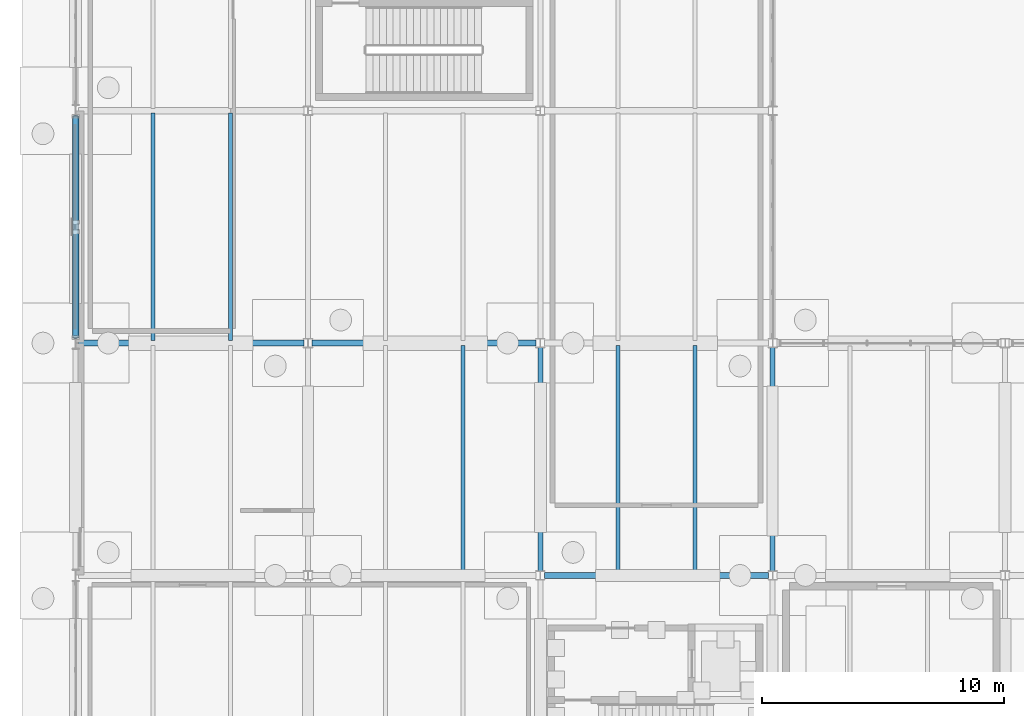
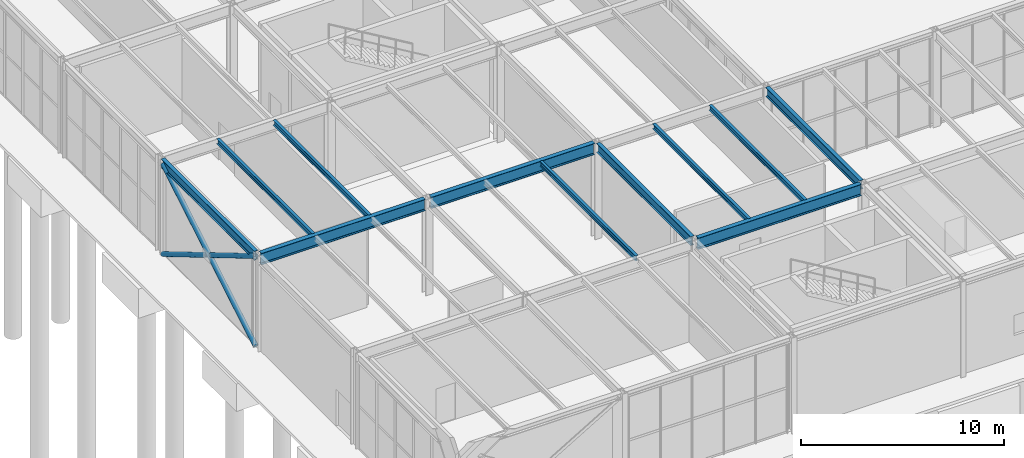
# One storey, part 36 of 142: 11 beams, 3 members.
"""IFC4 building model written with IfcOpenShell, lengths in metres."""

from ifc_helpers import new_model, si_unit, direction, frame, origin, origin_2d, place, context, subcontext, project, spatial, hollow_circle, i_section, extrude, material, material_profile, profile_set, type_object, element, save


model = new_model("IFC4")

# Units and contexts
model_context = context("Model", 3, precision=1e-05, world=origin(), true_north=direction((0.0, 1.0)))
body_context = subcontext(model_context, "Body", "Model", "MODEL_VIEW")
ifc_project = project(units=[si_unit("LENGTHUNIT", "METRE"), si_unit("AREAUNIT", "SQUARE_METRE"), si_unit("VOLUMEUNIT", "CUBIC_METRE"), si_unit("PLANEANGLEUNIT", "RADIAN"), si_unit("MASSUNIT", "GRAM", prefix="KILO")], contexts=[model_context])

# Site, building, storey
site_placement = place(None, origin())
site = spatial("IfcSite", under=ifc_project, at=site_placement, CompositionType="ELEMENT")
building_placement = place(site_placement, origin())
building = spatial("IfcBuilding", under=site, at=building_placement, Name="Coralgate Yard Interchange", CompositionType="ELEMENT")
storey_placement = place(building_placement, origin())
storey = spatial("IfcBuildingStorey", under=building, at=storey_placement, Name="L00", CompositionType="ELEMENT", Elevation=0.0)

# Beams
ifc_material = material(Name="Structural steel S355J2", Category="steel")
ifc_material_profile_1 = material_profile(ifc_material, i_section(OverallWidth=0.209228515625, OverallDepth=0.533203125, WebThickness=0.010009765625, FlangeThickness=0.015625, FilletRadius=0.0126953125, at=origin_2d()), Name="UB 533x210x92")
ifc_profile_set_1 = profile_set([ifc_material_profile_1], Name="Structural steel S355J2")
beam_type_1 = type_object("IfcBeamType", Name="BM-SB-1", PredefinedType="BEAM", material=ifc_profile_set_1)
beam_1_placement = place(storey_placement, frame((0.0, 19.419921875, 5.4833984375), z_axis=(0.0, 1.0, 0.0), x_axis=(-1.0, 0.0, 0.0)))
element("IfcBeam", 1, at=beam_1_placement, inside=storey, type_object=beam_type_1, Name="L00 primary grid girder X0 Y2-3", PredefinedType="BEAM", context=body_context, shape_type="SweptSolid", body=[
    extrude(i_section(OverallWidth=0.209228515625, OverallDepth=0.533203125, WebThickness=0.010009765625, FlangeThickness=0.015625, FilletRadius=0.0126953125, at=origin_2d()), origin(), (0.0, 0.0, 1.0), 9.16015625),
])
for number, where, z_axis, x_axis, name in (
    (2, (19.199951171875, 9.766845703125, 5.4833984375), (0.0, 1.0, 0.0), (-1.0, 0.0, 0.0), "L00 primary grid girder X2 Y1-2"),
    (3, (28.800048828125, 9.766845703125, 5.4833984375), (0.0, 1.0, 0.0), (-1.0, 0.0, 0.0), "L00 primary grid girder X3 Y1-2"),
):
    element("IfcBeam", number, at=place(storey_placement, frame(where, z_axis=z_axis, x_axis=x_axis)), inside=storey, type_object=beam_type_1, Name=name, PredefinedType="BEAM", context=body_context, shape_type="SweptSolid", body=[
        extrude(i_section(OverallWidth=0.209228515625, OverallDepth=0.533203125, WebThickness=0.010009765625, FlangeThickness=0.015625, FilletRadius=0.0126953125, at=origin_2d()), origin(), (0.0, 0.0, 1.0), 9.266357421875),
    ])
ifc_material_profile_2 = material_profile(ifc_material, i_section(OverallWidth=0.253662109375, OverallDepth=0.68359375, WebThickness=0.012451171875, FlangeThickness=0.01904296875, FilletRadius=0.01513671875, at=origin_2d()), Name="UB 686x254x140")
ifc_profile_set_2 = profile_set([ifc_material_profile_2], Name="Structural steel S355J2")
beam_type_2 = type_object("IfcBeamType", Name="BM-SG-4", PredefinedType="BEAM", material=ifc_profile_set_2)
beam_2_placement = place(storey_placement, frame((19.369384765625, 9.60009765625, 5.408203125), z_axis=(1.0, 0.0, 0.0), x_axis=(0.0, 1.0, 0.0)))
element("IfcBeam", 4, at=beam_2_placement, inside=storey, type_object=beam_type_2, Name="L00 primary grid beam Y1 X2-3", PredefinedType="BEAM", context=body_context, shape_type="SweptSolid", body=[
    extrude(i_section(OverallWidth=0.253662109375, OverallDepth=0.68359375, WebThickness=0.012451171875, FlangeThickness=0.01904296875, FilletRadius=0.01513671875, at=origin_2d()), origin(), (0.0, 0.0, 1.0), 9.26123046875),
])
beam_3_placement = place(storey_placement, frame((0.1201171875, 19.199951171875, 5.408203125), z_axis=(1.0, 0.0, 0.0), x_axis=(0.0, 1.0, 0.0)))
element("IfcBeam", 5, at=beam_3_placement, inside=storey, type_object=beam_type_2, Name="L00 primary grid beam Y2 X0-1", PredefinedType="BEAM", context=body_context, shape_type="SweptSolid", body=[
    extrude(i_section(OverallWidth=0.253662109375, OverallDepth=0.68359375, WebThickness=0.012451171875, FlangeThickness=0.01904296875, FilletRadius=0.01513671875, at=origin_2d()), origin(), (0.0, 0.0, 1.0), 9.310302734375),
])
beam_4_placement = place(storey_placement, frame((9.76953125, 19.199951171875, 5.408203125), z_axis=(1.0, 0.0, 0.0), x_axis=(0.0, 1.0, 0.0)))
element("IfcBeam", 6, at=beam_4_placement, inside=storey, type_object=beam_type_2, Name="L00 primary grid beam Y2 X1-2", PredefinedType="BEAM", context=body_context, shape_type="SweptSolid", body=[
    extrude(i_section(OverallWidth=0.253662109375, OverallDepth=0.68359375, WebThickness=0.012451171875, FlangeThickness=0.01904296875, FilletRadius=0.01513671875, at=origin_2d()), origin(), (0.0, 0.0, 1.0), 9.260986328125),
])
ifc_material_profile_3 = material_profile(ifc_material, i_section(OverallWidth=0.1650390625, OverallDepth=0.303466796875, WebThickness=0.006103515625, FlangeThickness=0.01025390625, FilletRadius=0.0087890625, at=origin_2d()), Name="UB 305x165x40")
ifc_profile_set_3 = profile_set([ifc_material_profile_3], Name="Structural steel S355J2")
beam_type_3 = type_object("IfcBeamType", Name="BM-SJ-1", PredefinedType="JOIST", material=ifc_profile_set_3)
for number, where, z_axis, x_axis, name in (
    (7, (3.199951171875, 19.296875, 5.598388671875), (0.0, 1.0, 0.0), (-1.0, 0.0, 0.0), "L00 composite floor joist 0-2-1"),
    (8, (6.39990234375, 19.296875, 5.598388671875), (0.0, 1.0, 0.0), (-1.0, 0.0, 0.0), "L00 composite floor joist 0-2-2"),
    (9, (16.0, 9.69677734375, 5.598388671875), (0.0, 1.0, 0.0), (-1.0, 0.0, 0.0), "L00 composite floor joist 1-1-2"),
    (10, (22.39990234375, 9.69677734375, 5.598388671875), (0.0, 1.0, 0.0), (-1.0, 0.0, 0.0), "L00 composite floor joist 2-1-1"),
    (11, (25.60009765625, 9.69677734375, 5.598388671875), (0.0, 1.0, 0.0), (-1.0, 0.0, 0.0), "L00 composite floor joist 2-1-2"),
):
    element("IfcBeam", number, at=place(storey_placement, frame(where, z_axis=z_axis, x_axis=x_axis)), inside=storey, type_object=beam_type_3, Name=name, PredefinedType="JOIST", context=body_context, shape_type="SweptSolid", body=[
        extrude(i_section(OverallWidth=0.1650390625, OverallDepth=0.303466796875, WebThickness=0.006103515625, FlangeThickness=0.01025390625, FilletRadius=0.0087890625, at=origin_2d()), origin(), (0.0, 0.0, 1.0), 9.40625),
    ])

# Members
ifc_material_profile_4 = material_profile(ifc_material, hollow_circle(Radius=0.136474609375, WallThickness=0.010009765625, at=origin_2d()), Name="CHS 273x10")
ifc_profile_set_4 = profile_set([ifc_material_profile_4], Name="Structural steel S355J2")
member_type = type_object("IfcMemberType", Name="MB-BR-1", PredefinedType="BRACE", material=ifc_profile_set_4)
member_placement = place(storey_placement, frame((0.0, 19.43994140625, 0.02001953125), z_axis=(0.0, 0.860068181015, 0.510179109731), x_axis=(-1.0, 0.0, 0.0)))
element("IfcMember", 12, at=member_placement, inside=storey, type_object=member_type, Name="L00 continuous concentric X-brace W-A", PredefinedType="BRACE", context=body_context, shape_type="SweptSolid", body=[
    extrude(hollow_circle(Radius=0.136474609375, WallThickness=0.010009765625, at=origin_2d()), origin(), (0.0, 0.0, 1.0), 10.60400390625),
])
for number, where, z_axis, x_axis, name in (
    (13, (0.0, 28.56005859375, 0.02001953125), (0.0, -0.860076883609, 0.510164438472), (1.0, 0.0, 0.0), "L00 split concentric X-brace W-B1"),
    (14, (0.0, 23.79541015625, 2.846435546875), (0.0, -0.860076883609, 0.510164438472), (1.0, 0.0, 0.0), "L00 split concentric X-brace W-B2"),
):
    element("IfcMember", number, at=place(storey_placement, frame(where, z_axis=z_axis, x_axis=x_axis)), inside=storey, type_object=member_type, Name=name, PredefinedType="BRACE", context=body_context, shape_type="SweptSolid", body=[
        extrude(hollow_circle(Radius=0.136474609375, WallThickness=0.010009765625, at=origin_2d()), origin(), (0.0, 0.0, 1.0), 5.06396484375),
    ])

save(model, "model.ifc")
